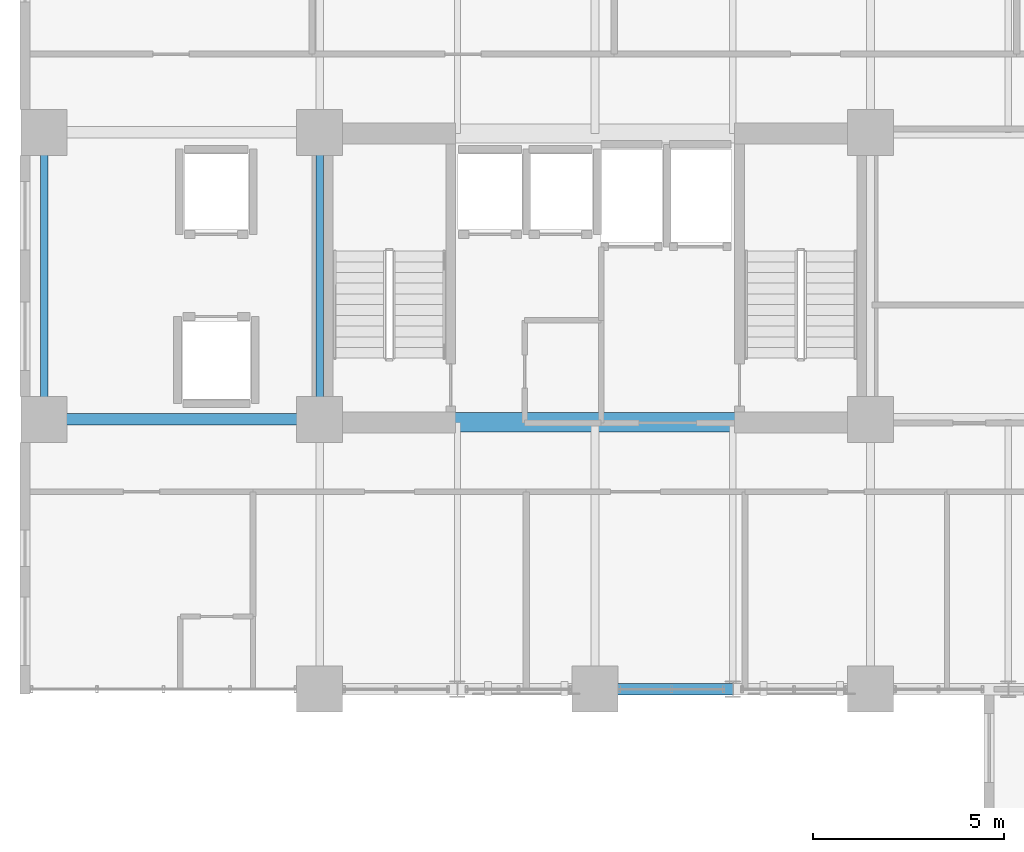
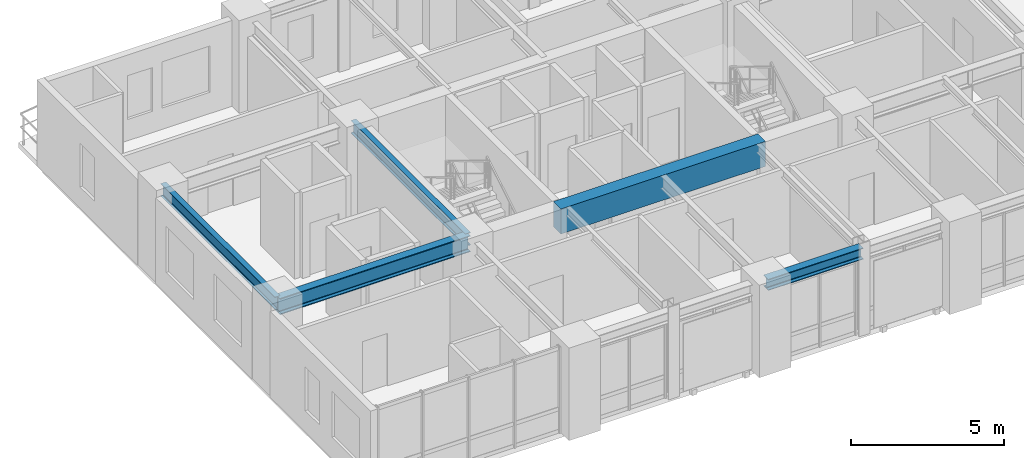
# One storey, part 4 of 16: 5 beams.
"""IFC4 building model written with IfcOpenShell, lengths in metres."""

import ifcopenshell
import ifcopenshell.guid

model = None  # the IFC model being written
_history = None  # IfcOwnerHistory: only IFC2X3 demands one
_inside = {}  # id of a spatial element -> (the spatial element, [elements in it])
_under = {}  # id of a project, library or spatial element -> (it, [spatial elements below it])
_declared = {}  # id of a project -> (the project, [libraries it declares])
_typed = {}  # id of a type object -> (the type object, [elements of that type])
_made_of = {}  # id of a material, layer set ... -> (it, [elements and type objects made of it])


def new_model(schema):
    """Start an empty IFC model of exactly this schema.

    Asked for "IFC4X3", IfcOpenShell would pick the latest addendum, in which some entities
    have other attributes; the version numbers below select the first issue.
    IFC2X3 requires an IfcOwnerHistory on every rooted entity: one is made here for all.
    """
    global model, _history
    if schema == "IFC4X3":
        model = ifcopenshell.file(schema_version=(4, 3, 0, 0))
    else:
        model = ifcopenshell.file(schema=schema)
    _inside.clear()
    _under.clear()
    _declared.clear()
    _typed.clear()
    _made_of.clear()
    _history = None
    if model.schema == "IFC2X3":
        org = make("IfcOrganization", Name="unknown")
        user = make(
            "IfcPersonAndOrganization",
            ThePerson=make("IfcPerson", FamilyName="unknown"),
            TheOrganization=org,
        )
        app = make(
            "IfcApplication",
            ApplicationDeveloper=org,
            Version="unknown",
            ApplicationFullName="unknown",
            ApplicationIdentifier="unknown",
        )
        _history = make(
            "IfcOwnerHistory",
            OwningUser=user,
            OwningApplication=app,
            ChangeAction="ADDED",
            CreationDate=0,
        )
    return model


def make(cls, **values):
    """One entity of the class cls with the attributes given. An attribute that is None is left unset."""
    return model.create_entity(
        cls, **{name: value for name, value in values.items() if value is not None}
    )


def rooted(cls, **values):
    """An entity with a GlobalId (a new one), such as an element, a storey or a relation."""
    return make(cls, GlobalId=ifcopenshell.guid.new(), OwnerHistory=_history, **values)


def si_unit(unit_type, name, prefix=None):
    """IfcSIUnit, for example si_unit("LENGTHUNIT", "METRE", prefix="MILLI")."""
    return make("IfcSIUnit", UnitType=unit_type, Prefix=prefix, Name=name)


def assignment(units):
    """IfcUnitAssignment: the units of a project."""
    return None if units is None else make("IfcUnitAssignment", Units=units)


def point(xyz):
    """IfcCartesianPoint."""
    return None if xyz is None else make("IfcCartesianPoint", Coordinates=xyz)


def direction(xyz):
    """IfcDirection."""
    return None if xyz is None else make("IfcDirection", DirectionRatios=xyz)


def frame(location, z_axis=None, x_axis=None):
    """IfcAxis2Placement3D, a coordinate frame: its origin and axes. An axis left out is left unset."""
    return make(
        "IfcAxis2Placement3D",
        Location=point(location),
        Axis=direction(z_axis),
        RefDirection=direction(x_axis),
    )


def frame_2d(location, x_axis=None):
    """IfcAxis2Placement2D, a coordinate frame in the plane: its origin and x axis."""
    return make(
        "IfcAxis2Placement2D", Location=point(location), RefDirection=direction(x_axis)
    )


def origin():
    """The frame at (0, 0, 0) with its axes left unset."""
    return frame((0.0, 0.0, 0.0))


def origin_2d():
    """The frame at (0, 0) in the plane with its x axis left unset."""
    return frame_2d((0.0, 0.0))


def place(relative_to, where):
    """IfcLocalPlacement: puts the frame where relative to a parent placement (None: the world)."""
    return make(
        "IfcLocalPlacement", PlacementRelTo=relative_to, RelativePlacement=where
    )


def context(
    kind, dimensions, precision=None, world=None, true_north=None, identifier=None
):
    """IfcGeometricRepresentationContext, for example the 3D "Model" context."""
    return make(
        "IfcGeometricRepresentationContext",
        ContextIdentifier=identifier,
        ContextType=kind,
        CoordinateSpaceDimension=dimensions,
        Precision=precision,
        WorldCoordinateSystem=world,
        TrueNorth=true_north,
    )


def subcontext(parent, identifier, kind, view, scale=None):
    """IfcGeometricRepresentationSubContext, for example "Body" below "Model"."""
    return make(
        "IfcGeometricRepresentationSubContext",
        ContextIdentifier=identifier,
        ContextType=kind,
        ParentContext=parent,
        TargetScale=scale,
        TargetView=view,
    )


def project(units=None, contexts=None):
    """IfcProject with its units and contexts."""
    return rooted(
        "IfcProject",
        Name="project",
        RepresentationContexts=contexts,
        UnitsInContext=assignment(units),
    )


def spatial(cls, under=None, at=None, **own):
    """A site, building, storey or space (cls), placed at a placement, below another one or the project."""
    s = rooted(cls, ObjectPlacement=at, **own)
    if under is not None:
        _under.setdefault(under.id(), (under, []))[1].append(s)
    return s


def profile(cls, at=None, kind="AREA", **sizes):
    """A parametric profile (cls). Its sizes go by their IFC names, for example OverallWidth=200.0."""
    return make(cls, ProfileType=kind, Position=at, **sizes)


def rectangle(**sizes):
    """IfcRectangleProfileDef."""
    return profile("IfcRectangleProfileDef", **sizes)


def i_section(**sizes):
    """IfcIShapeProfileDef."""
    return profile("IfcIShapeProfileDef", **sizes)


def extrude(swept, where, along, depth):
    """IfcExtrudedAreaSolid: the profile swept, set in the frame where, extruded along a direction by depth."""
    return make(
        "IfcExtrudedAreaSolid",
        SweptArea=swept,
        Position=where,
        ExtrudedDirection=direction(along),
        Depth=depth,
    )


def shape(context_of_items, identifier, shape_type, items):
    """IfcShapeRepresentation: the items that make up one representation, for example the "Body"."""
    return make(
        "IfcShapeRepresentation",
        ContextOfItems=context_of_items,
        RepresentationIdentifier=identifier,
        RepresentationType=shape_type,
        Items=items,
    )


def source(mapping_origin, context_of_items, identifier, shape_type, items):
    """IfcRepresentationMap: a shape defined once, which mapped items show again and again."""
    return make(
        "IfcRepresentationMap",
        MappingOrigin=mapping_origin,
        MappedRepresentation=shape(context_of_items, identifier, shape_type, items),
    )


def transform(
    local_origin,
    x_axis=None,
    y_axis=None,
    z_axis=None,
    scale=None,
    scale2=None,
    scale3=None,
    uniform=True,
):
    """IfcCartesianTransformationOperator3D, or its non-uniform kind. x_axis, y_axis, z_axis: its Axis1, 2, 3."""
    if uniform:
        return make(
            "IfcCartesianTransformationOperator3D",
            Axis1=direction(x_axis),
            Axis2=direction(y_axis),
            LocalOrigin=point(local_origin),
            Scale=scale,
            Axis3=direction(z_axis),
        )
    return make(
        "IfcCartesianTransformationOperator3DnonUniform",
        Axis1=direction(x_axis),
        Axis2=direction(y_axis),
        LocalOrigin=point(local_origin),
        Scale=scale,
        Axis3=direction(z_axis),
        Scale2=scale2,
        Scale3=scale3,
    )


def mapped(mapping_source, mapping_target):
    """IfcMappedItem: shows the shape of a source again, moved by a transform."""
    return make(
        "IfcMappedItem", MappingSource=mapping_source, MappingTarget=mapping_target
    )


def material(Name=None, Category=None):
    """IfcMaterial."""
    return make("IfcMaterial", Name=Name, Category=Category)


def material_profile(
    of_material, cross_section, Name=None, Category=None, Priority=None
):
    """IfcMaterialProfile: a cross section and its material."""
    return make(
        "IfcMaterialProfile",
        Name=Name,
        Material=of_material,
        Profile=cross_section,
        Priority=Priority,
        Category=Category,
    )


def profile_set(profiles, Name=None, composite=None):
    """IfcMaterialProfileSet."""
    return make(
        "IfcMaterialProfileSet",
        Name=Name,
        MaterialProfiles=profiles,
        CompositeProfile=composite,
    )


def made_of(thing, what):
    """Note that an element or type object is made of a material, layer set ...; save() writes the relation."""
    if what is not None:
        _made_of.setdefault(what.id(), (what, []))[1].append(thing)
    return thing


def type_object(cls, material=None, **own):
    """A type object (cls), such as IfcWallType, which elements share."""
    return made_of(rooted(cls, **own), material)


def element(
    cls,
    number,
    at=None,
    inside=None,
    cuts=None,
    type_object=None,
    material=None,
    context=None,
    identifier="Body",
    shape_type=None,
    held_by="IfcProductDefinitionShape",
    body=None,
    shapes=None,
    **own,
):
    """One element of the class cls, such as IfcWall. Its Tag is "e" and its number.

    at: its placement. inside: the storey or other place that contains it. cuts: it is an
    opening in that element (IfcRelVoidsElement). A single representation is given by context,
    identifier, shape_type and body (its items); several are given by shapes. held_by: the class
    of the entity that holds the representations. save() writes the other relations.
    """
    e = rooted(cls, Tag="e%d" % number, ObjectPlacement=at, **own)
    if body is not None:
        shapes = [shape(context, identifier, shape_type, body)]
    if shapes is not None:
        e.Representation = make(held_by, Representations=shapes)
    if inside is not None:
        _inside.setdefault(inside.id(), (inside, []))[1].append(e)
    if cuts is not None:
        rooted(
            "IfcRelVoidsElement", RelatingBuildingElement=cuts, RelatedOpeningElement=e
        )
    if type_object is not None:
        _typed.setdefault(type_object.id(), (type_object, []))[1].append(e)
    return made_of(e, material)


def aggregate(whole, parts):
    """IfcRelAggregates: a whole, such as a stair, and the parts it consists of."""
    return rooted("IfcRelAggregates", RelatingObject=whole, RelatedObjects=parts)


def save(model, path):
    """Write the relations noted so far, then the file.

    IfcRelAggregates (storeys below a building ...), IfcRelContainedInSpatialStructure (elements
    in a storey), IfcRelDefinesByType, IfcRelAssociatesMaterial and IfcRelDeclares: one each for
    every whole, place, type object, material and project.
    """
    for whole, parts in _under.values():
        aggregate(whole, parts)
    for where, things in _inside.values():
        rooted(
            "IfcRelContainedInSpatialStructure",
            RelatedElements=things,
            RelatingStructure=where,
        )
    for kind, things in _typed.values():
        rooted("IfcRelDefinesByType", RelatedObjects=things, RelatingType=kind)
    for what, things in _made_of.values():
        rooted("IfcRelAssociatesMaterial", RelatedObjects=things, RelatingMaterial=what)
    for by, libraries in _declared.values():
        rooted("IfcRelDeclares", RelatingContext=by, RelatedDefinitions=libraries)
    model.write(path)


model = new_model("IFC4")

# Units and contexts
model_context = context("Model", 3, precision=1e-05, world=origin(), true_north=direction((0.0, 1.0)))
body_context = subcontext(model_context, "Body", "Model", "MODEL_VIEW")
ifc_project = project(units=[si_unit("LENGTHUNIT", "METRE"), si_unit("AREAUNIT", "SQUARE_METRE"), si_unit("VOLUMEUNIT", "CUBIC_METRE"), si_unit("PLANEANGLEUNIT", "RADIAN"), si_unit("MASSUNIT", "GRAM", prefix="KILO")], contexts=[model_context])

# Site, building, storey
site_placement = place(None, origin())
site = spatial("IfcSite", under=ifc_project, at=site_placement, CompositionType="ELEMENT")
building_placement = place(site_placement, origin())
building = spatial("IfcBuilding", under=site, at=building_placement, Name="Kaliganga Portal Commons", CompositionType="ELEMENT")
storey_placement = place(building_placement, frame((0.0, 0.0, 97.10009765625)))
storey = spatial("IfcBuildingStorey", under=building, at=storey_placement, Name="L24", CompositionType="ELEMENT", Elevation=97.10009765625)

# Beams
ifc_material_1 = material(Name="Concrete C50/60", Category="concrete")
ifc_material_profile_1 = material_profile(ifc_material_1, rectangle(XDim=0.5, YDim=1.0, at=origin_2d()), Name="RC 500x1000")
ifc_profile_set_1 = profile_set([ifc_material_profile_1], Name="Concrete C50/60")
beam_type_1 = type_object("IfcBeamType", Name="BM-CPL-1000", PredefinedType="LINTEL", material=ifc_profile_set_1)
shared_shape_1 = source(origin(), body_context, "Body", "SweptSolid", [
    extrude(rectangle(XDim=0.5, YDim=1.0, at=origin_2d()), origin(), (0.0, 0.0, 1.0), 7.739990234375),
])
beam_1_placement = place(storey_placement, frame((17.72998046875, 28.574951171875, 2.949951171875), z_axis=(1.0, 0.0, 0.0), x_axis=(0.0, 1.0, 0.0)))
element("IfcBeam", 1, at=beam_1_placement, inside=storey, type_object=beam_type_1, Name="BM CPL COREA L24 S", PredefinedType="LINTEL", context=body_context, shape_type="MappedRepresentation", body=[
    mapped(shared_shape_1, transform((0.0, 0.0, 0.0), x_axis=(1.0, 0.0, 0.0), y_axis=(0.0, 1.0, 0.0), z_axis=(0.0, 0.0, 1.0), scale=1.0)),
])
ifc_material_2 = material(Name="Structural steel S355J2", Category="steel")
ifc_material_profile_2 = material_profile(ifc_material_2, i_section(OverallWidth=0.300048828125, OverallDepth=0.64990234375, WebThickness=0.01611328125, FlangeThickness=0.031005859375, FilletRadius=0.027099609375, at=origin_2d()), Name="HE 650 B")
ifc_profile_set_2 = profile_set([ifc_material_profile_2], Name="Structural steel S355J2 wide-flange")
beam_type_2 = type_object("IfcBeamType", Name="BM-GIRD-650", PredefinedType="USERDEFINED", material=ifc_profile_set_2)
shared_shape_2 = source(origin(), body_context, "Body", "SweptSolid", [
    extrude(i_section(OverallWidth=0.300048828125, OverallDepth=0.64990234375, WebThickness=0.01611328125, FlangeThickness=0.031005859375, FilletRadius=0.027099609375, at=origin_2d()), origin(), (0.0, 0.0, 1.0), 7.199951171875),
])
beam_2_placement = place(storey_placement, frame((7.199951171875, 28.64990234375, 3.125), z_axis=(1.0, 0.0, 0.0), x_axis=(0.0, 1.0, 0.0)))
element("IfcBeam", 2, at=beam_2_placement, inside=storey, type_object=beam_type_2, Name="BM G L24 WAH_S 1", ObjectType="GIRDER", PredefinedType="USERDEFINED", context=body_context, shape_type="MappedRepresentation", body=[
    mapped(shared_shape_2, transform((0.0, 0.0, 0.0), x_axis=(1.0, 0.0, 0.0), y_axis=(0.0, 1.0, 0.0), z_axis=(0.0, 0.0, 1.0), scale=1.0)),
])
ifc_material_profile_3 = material_profile(ifc_material_2, i_section(OverallWidth=0.199951171875, OverallDepth=0.5, WebThickness=0.01025390625, FlangeThickness=0.01611328125, FilletRadius=0.02099609375, at=origin_2d()), Name="IPE 500")
ifc_profile_set_3 = profile_set([ifc_material_profile_3], Name="Structural steel S355J2 wide-flange")
beam_type_3 = type_object("IfcBeamType", Name="BM-FLR-500", PredefinedType="BEAM", material=ifc_profile_set_3)
shared_shape_3 = source(origin(), body_context, "Body", "SweptSolid", [
    extrude(i_section(OverallWidth=0.199951171875, OverallDepth=0.5, WebThickness=0.01025390625, FlangeThickness=0.01611328125, FilletRadius=0.02099609375, at=origin_2d()), origin(), (0.0, 0.0, 1.0), 7.5),
])
for number, where, z_axis, x_axis, name in (
    (3, (7.199951171875, 28.64990234375, 3.199951171875), (0.0, 1.0, 0.0), (-1.0, 0.0, 0.0), "BM G L24 AW72"),
    (4, (14.39990234375, 28.64990234375, 3.199951171875), (0.0, 1.0, 0.0), (-1.0, 0.0, 0.0), "BM G L24 AM144"),
):
    element("IfcBeam", number, at=place(storey_placement, frame(where, z_axis=z_axis, x_axis=x_axis)), inside=storey, type_object=beam_type_3, Name=name, PredefinedType="BEAM", context=body_context, shape_type="MappedRepresentation", body=[
        mapped(shared_shape_3, transform((0.0, 0.0, 0.0), x_axis=(1.0, 0.0, 0.0), y_axis=(0.0, 1.0, 0.0), z_axis=(0.0, 0.0, 1.0), scale=1.0)),
    ])
ifc_material_profile_4 = material_profile(ifc_material_2, i_section(OverallWidth=0.300048828125, OverallDepth=0.449951171875, WebThickness=0.013916015625, FlangeThickness=0.02587890625, FilletRadius=0.027099609375, at=origin_2d()), Name="HE 450 B")
ifc_profile_set_4 = profile_set([ifc_material_profile_4], Name="Structural steel S355J2 wide-flange")
beam_type_4 = type_object("IfcBeamType", Name="BM-SPAND-450", PredefinedType="SPANDREL", material=ifc_profile_set_4)
shared_shape_4 = source(origin(), body_context, "Body", "SweptSolid", [
    extrude(i_section(OverallWidth=0.300048828125, OverallDepth=0.449951171875, WebThickness=0.013916015625, FlangeThickness=0.02587890625, FilletRadius=0.027099609375, at=origin_2d()), origin(), (0.0, 0.0, 1.0), 3.599853515625),
])
beam_3_placement = place(storey_placement, frame((21.60009765625, 21.60009765625, 3.224853515625), z_axis=(1.0, 0.0, 0.0), x_axis=(0.0, 1.0, 0.0)))
element("IfcBeam", 5, at=beam_3_placement, inside=storey, type_object=beam_type_4, Name="BM SP L24 AS 3", PredefinedType="SPANDREL", context=body_context, shape_type="MappedRepresentation", body=[
    mapped(shared_shape_4, transform((0.0, 0.0, 0.0), x_axis=(1.0, 0.0, 0.0), y_axis=(0.0, 1.0, 0.0), z_axis=(0.0, 0.0, 1.0), scale=1.0)),
])

save(model, "model.ifc")
